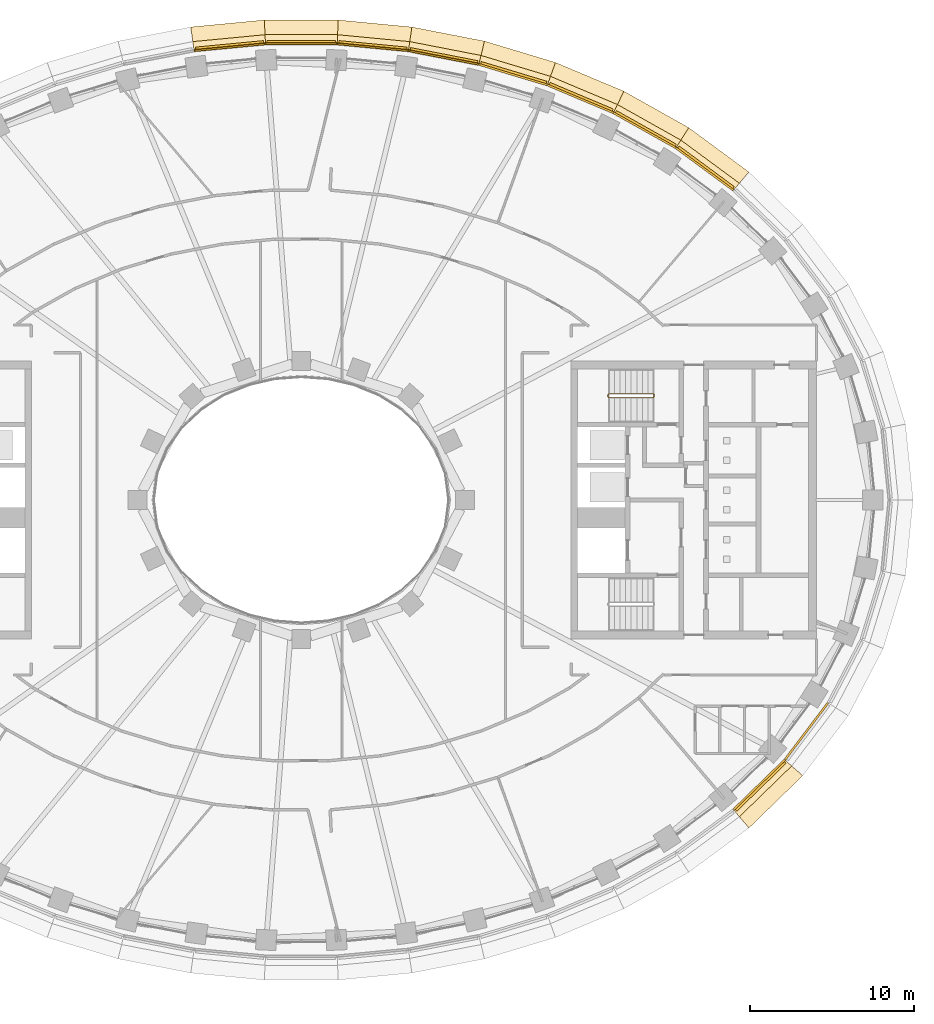
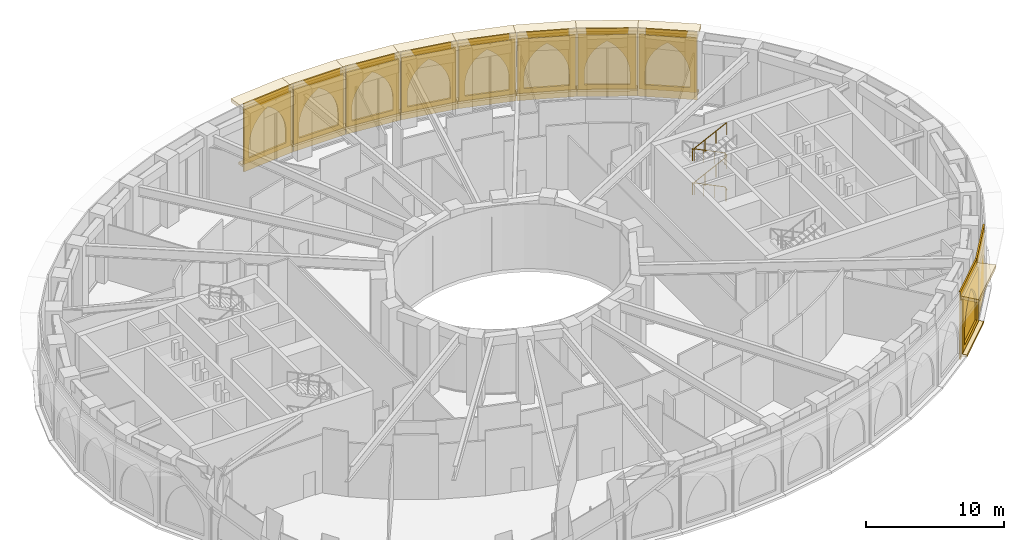
# One storey, part 21 of 23: 37 coverings, 1 railing.
"""IFC4 building model written with IfcOpenShell, lengths in metres."""

from ifc_helpers import new_model, si_unit, direction, frame, origin, origin_2d, place, context, subcontext, project, spatial, polyline, rectangle, outline, extrude, material, layer, layer_set, type_object, element, save


model = new_model("IFC4")

# Units and contexts
model_context = context("Model", 3, precision=1e-05, world=origin(), true_north=direction((0.0, 1.0)))
body_context = subcontext(model_context, "Body", "Model", "MODEL_VIEW")
ifc_project = project(units=[si_unit("LENGTHUNIT", "METRE"), si_unit("AREAUNIT", "SQUARE_METRE"), si_unit("VOLUMEUNIT", "CUBIC_METRE"), si_unit("PLANEANGLEUNIT", "RADIAN"), si_unit("MASSUNIT", "GRAM", prefix="KILO")], contexts=[model_context])

# Site, building, storey
site_placement = place(None, origin())
site = spatial("IfcSite", under=ifc_project, at=site_placement, CompositionType="ELEMENT")
building_placement = place(site_placement, origin())
building = spatial("IfcBuilding", under=site, at=building_placement, Name="Noorbagh Ring Tower", CompositionType="ELEMENT")
storey_placement = place(building_placement, frame((0.0, 0.0, 140.0)))
storey = spatial("IfcBuildingStorey", under=building, at=storey_placement, Name="L32", CompositionType="ELEMENT", Elevation=140.0)

# Railing
ifc_material_1 = material(Name="Stainless steel", Category="steel")
railing_type = type_object("IfcRailingType", Name="CORE-STAIR-GUARD", PredefinedType="GUARDRAIL", material=ifc_material_1)
railing_placement = place(storey_placement, frame((21.580078125, 6.449951171875, 0.0)))
element("IfcRailing", 1, at=railing_placement, inside=storey, type_object=railing_type, Name="L32 ST3 stair guard", PredefinedType="GUARDRAIL", context=body_context, shape_type="SweptSolid", body=[
    extrude(rectangle(XDim=0.048095703125, YDim=0.048095703125, at=origin_2d()), frame((0.0, 0.0, 1.076171875), z_axis=(0.0, -1.0, 0.0), x_axis=(1.0, 0.0, 0.0)), (0.0, 0.0, 1.0), 0.14990234375),
    extrude(rectangle(XDim=0.048095703125, YDim=0.048095703125, at=origin_2d()), frame((0.0, -0.14990234375, 1.076171875), z_axis=(-0.188775798145, 0.754182335027, 0.628945707965), x_axis=(-0.970072785993, -0.242814311512, 0.0)), (0.0, 0.0, 1.0), 0.26513671875),
    extrude(rectangle(XDim=0.048095703125, YDim=0.048095703125, at=origin_2d()), frame((-0.050048828125, 0.050048828125, 1.24267578125), z_axis=(-0.897929466783, 0.0, 0.4401393787), x_axis=(0.0, -1.0, 0.0)), (0.0, 0.0, 1.0), 3.029052734375),
    extrude(rectangle(XDim=0.048095703125, YDim=0.048095703125, at=origin_2d()), frame((-2.77001953125, 0.050048828125, 2.576171875), z_axis=(-0.707106781187, -0.707106781187, 0.0), x_axis=(0.707106781187, -0.707106781187, 0.0)), (0.0, 0.0, 1.0), 0.07080078125),
    extrude(rectangle(XDim=0.048095703125, YDim=0.048095703125, at=origin_2d()), frame((-2.820068359375, 0.0, 2.576171875), z_axis=(0.0, -1.0, 0.0), x_axis=(1.0, 0.0, 0.0)), (0.0, 0.0, 1.0), 0.14990234375),
    extrude(rectangle(XDim=0.048095703125, YDim=0.048095703125, at=origin_2d()), frame((-2.820068359375, -0.14990234375, 2.576171875), z_axis=(0.27628659633, -0.27628659633, 0.920506074601), x_axis=(0.707106781187, 0.707106781187, 0.0)), (0.0, 0.0, 1.0), 0.18115234375),
    extrude(rectangle(XDim=0.048095703125, YDim=0.048095703125, at=origin_2d()), frame((-2.77001953125, -0.199951171875, 2.74267578125), z_axis=(0.897929466783, 0.0, 0.4401393787), x_axis=(0.0, 1.0, 0.0)), (0.0, 0.0, 1.0), 3.029052734375),
    extrude(rectangle(XDim=0.048095703125, YDim=0.048095703125, at=origin_2d()), frame((-0.050048828125, -0.199951171875, 4.076171875), z_axis=(0.242814311512, 0.970072785993, 0.0), x_axis=(-0.970072785993, 0.242814311512, 0.0)), (0.0, 0.0, 1.0), 0.2060546875),
    extrude(rectangle(XDim=0.048095703125, YDim=0.048095703125, at=origin_2d()), frame((0.0, 0.0, 4.076171875), z_axis=(0.0, -1.0, 0.0), x_axis=(1.0, 0.0, 0.0)), (0.0, 0.0, 1.0), 0.14990234375),
    extrude(rectangle(XDim=0.048095703125, YDim=0.048095703125, at=origin_2d()), frame((0.0, -0.14990234375, 4.076171875), z_axis=(-0.188775798145, 0.754182335027, 0.628945707965), x_axis=(-0.970072785993, -0.242814311512, 0.0)), (0.0, 0.0, 1.0), 0.26513671875),
    extrude(rectangle(XDim=0.048095703125, YDim=0.048095703125, at=origin_2d()), frame((-0.050048828125, 0.050048828125, 4.24267578125), z_axis=(-0.897929466783, 0.0, 0.4401393787), x_axis=(0.0, -1.0, 0.0)), (0.0, 0.0, 1.0), 3.029052734375),
    extrude(rectangle(XDim=0.048095703125, YDim=0.048095703125, at=origin_2d()), frame((-2.77001953125, 0.050048828125, 5.576171875), z_axis=(-0.707106781187, -0.707106781187, 0.0), x_axis=(0.707106781187, -0.707106781187, 0.0)), (0.0, 0.0, 1.0), 0.07080078125),
    extrude(rectangle(XDim=0.048095703125, YDim=0.048095703125, at=origin_2d()), frame((-2.820068359375, 0.0, 5.576171875), z_axis=(0.0, -1.0, 0.0), x_axis=(1.0, 0.0, 0.0)), (0.0, 0.0, 1.0), 0.14990234375),
    extrude(rectangle(XDim=0.048095703125, YDim=0.048095703125, at=origin_2d()), frame((-2.820068359375, -0.14990234375, 5.576171875), z_axis=(0.27628659633, -0.27628659633, 0.920506074601), x_axis=(0.707106781187, 0.707106781187, 0.0)), (0.0, 0.0, 1.0), 0.18115234375),
    extrude(rectangle(XDim=0.048095703125, YDim=0.048095703125, at=origin_2d()), frame((-2.77001953125, -0.199951171875, 5.74267578125), z_axis=(0.897929466783, 0.0, 0.4401393787), x_axis=(0.0, 1.0, 0.0)), (0.0, 0.0, 1.0), 3.029052734375),
    extrude(rectangle(XDim=0.0419921875, YDim=0.0419921875, at=origin_2d()), origin(), (0.0, 0.0, 1.0), 1.052001953125),
    extrude(rectangle(XDim=0.0419921875, YDim=0.0419921875, at=origin_2d()), frame((-0.956787109375, 0.050048828125, 0.611083984375)), (0.0, 0.0, 1.0), 1.052001953125),
    extrude(rectangle(XDim=0.0419921875, YDim=0.0419921875, at=origin_2d()), frame((-1.86328125, 0.050048828125, 1.0556640625)), (0.0, 0.0, 1.0), 1.052001953125),
    extrude(rectangle(XDim=0.0419921875, YDim=0.0419921875, at=origin_2d()), frame((-2.77001953125, 0.050048828125, 1.5)), (0.0, 0.0, 1.0), 1.052001953125),
    extrude(rectangle(XDim=0.0419921875, YDim=0.0419921875, at=origin_2d()), frame((-2.77001953125, -0.199951171875, 1.666748046875)), (0.0, 0.0, 1.0), 1.052001953125),
    extrude(rectangle(XDim=0.0419921875, YDim=0.0419921875, at=origin_2d()), frame((-1.86328125, -0.199951171875, 2.111083984375)), (0.0, 0.0, 1.0), 1.052001953125),
    extrude(rectangle(XDim=0.0419921875, YDim=0.0419921875, at=origin_2d()), frame((-0.956787109375, -0.199951171875, 2.5556640625)), (0.0, 0.0, 1.0), 1.052001953125),
    extrude(rectangle(XDim=0.0419921875, YDim=0.0419921875, at=origin_2d()), frame((-0.050048828125, -0.199951171875, 3.0)), (0.0, 0.0, 1.0), 1.052001953125),
    extrude(rectangle(XDim=0.0419921875, YDim=0.0419921875, at=origin_2d()), frame((-0.050048828125, 0.050048828125, 3.166748046875)), (0.0, 0.0, 1.0), 1.052001953125),
    extrude(rectangle(XDim=0.0419921875, YDim=0.0419921875, at=origin_2d()), frame((-0.956787109375, 0.050048828125, 3.611083984375)), (0.0, 0.0, 1.0), 1.052001953125),
    extrude(rectangle(XDim=0.0419921875, YDim=0.0419921875, at=origin_2d()), frame((-1.86328125, 0.050048828125, 4.0556640625)), (0.0, 0.0, 1.0), 1.052001953125),
    extrude(rectangle(XDim=0.0419921875, YDim=0.0419921875, at=origin_2d()), frame((-2.77001953125, 0.050048828125, 4.5)), (0.0, 0.0, 1.0), 1.052001953125),
    extrude(rectangle(XDim=0.0419921875, YDim=0.0419921875, at=origin_2d()), frame((-2.77001953125, -0.199951171875, 4.666748046875)), (0.0, 0.0, 1.0), 1.052001953125),
    extrude(rectangle(XDim=0.0419921875, YDim=0.0419921875, at=origin_2d()), frame((-1.86328125, -0.199951171875, 5.111083984375)), (0.0, 0.0, 1.0), 1.052001953125),
    extrude(rectangle(XDim=0.0419921875, YDim=0.0419921875, at=origin_2d()), frame((-0.956787109375, -0.199951171875, 5.5556640625)), (0.0, 0.0, 1.0), 1.052001953125),
    extrude(rectangle(XDim=0.0419921875, YDim=0.0419921875, at=origin_2d()), frame((-0.050048828125, -0.199951171875, 6.0)), (0.0, 0.0, 1.0), 1.052001953125),
])

# Coverings
ifc_material_2 = material(Name="Aluminium 6063-T6 black anodised", Category="aluminium")
ifc_layer_1 = layer(ifc_material_2, 0.1201171875)
ifc_layer_set_1 = layer_set([ifc_layer_1], Name="Aluminium 6063-T6 black anodised")
covering_type_1 = type_object("IfcCoveringType", Name="ENV-LOUVRE-BAND", PredefinedType="CLADDING", material=ifc_layer_set_1)
covering_1_placement = place(storey_placement, frame((24.662109375, 20.2353515625, -0.300048828125), z_axis=(0.0, 0.0, 1.0), x_axis=(-0.805153045326, 0.593067090304, 0.0)))
element("IfcCovering", 2, at=covering_1_placement, inside=storey, type_object=covering_type_1, Name="Louvre screen chord 06", ObjectType="LOUVRE", PredefinedType="CLADDING", context=body_context, shape_type="SweptSolid", body=[
    extrude(rectangle(XDim=4.3486328125, YDim=0.1201171875, at=origin_2d()), origin(), (0.0, 0.0, 1.0), 6.0),
])
covering_2_placement = place(storey_placement, frame((20.990966796875, 22.604736328125, -0.300048828125), z_axis=(0.0, 0.0, 1.0), x_axis=(-0.872044586249, 0.48942643941, 0.0)))
element("IfcCovering", 3, at=covering_2_placement, inside=storey, type_object=covering_type_1, Name="Louvre screen chord 07", ObjectType="LOUVRE", PredefinedType="CLADDING", context=body_context, shape_type="SweptSolid", body=[
    extrude(rectangle(XDim=4.34912109375, YDim=0.1201171875, at=origin_2d()), origin(), (0.0, 0.0, 1.0), 6.0),
])
covering_3_placement = place(storey_placement, frame((17.0634765625, 24.52490234375, -0.300048828125), z_axis=(0.0, 0.0, 1.0), x_axis=(-0.921811566494, 0.387638279686, 0.0)))
element("IfcCovering", 4, at=covering_3_placement, inside=storey, type_object=covering_type_1, Name="Louvre screen chord 08", ObjectType="LOUVRE", PredefinedType="CLADDING", context=body_context, shape_type="SweptSolid", body=[
    extrude(rectangle(XDim=4.349365234375, YDim=0.1201171875, at=origin_2d()), origin(), (0.0, 0.0, 1.0), 6.0),
])
covering_4_placement = place(storey_placement, frame((12.947998046875, 26.0048828125, -0.300048828125), z_axis=(0.0, 0.0, 1.0), x_axis=(-0.957577925467, 0.28817445525, 0.0)))
element("IfcCovering", 5, at=covering_4_placement, inside=storey, type_object=covering_type_1, Name="Louvre screen chord 09", ObjectType="LOUVRE", PredefinedType="CLADDING", context=body_context, shape_type="SweptSolid", body=[
    extrude(rectangle(XDim=4.349609375, YDim=0.1201171875, at=origin_2d()), origin(), (0.0, 0.0, 1.0), 6.0),
])
for number, where, z_axis, x_axis, name in (
    (6, (8.700927734375, 27.053955078125, -0.300048828125), (0.0, 0.0, 1.0), (-0.981624952922, 0.190820470077, 0.0), "Louvre screen chord 10"),
    (7, (4.37060546875, 27.679931640625, -0.300048828125), (0.0, 0.0, 1.0), (-0.995476497323, 0.095008122171, 0.0), "Louvre screen chord 11"),
    (8, (0.0, 27.887939453125, -0.300048828125), (0.0, 0.0, 1.0), (-1.0, 0.0, 0.0), "Louvre screen chord 12"),
    (9, (-4.37060546875, 27.679931640625, -0.300048828125), (0.0, 0.0, 1.0), (-0.995476497323, -0.095008122171, 0.0), "Louvre screen chord 13"),
):
    element("IfcCovering", number, at=place(storey_placement, frame(where, z_axis=z_axis, x_axis=x_axis)), inside=storey, type_object=covering_type_1, Name=name, ObjectType="LOUVRE", PredefinedType="CLADDING", context=body_context, shape_type="SweptSolid", body=[
        extrude(rectangle(XDim=4.349853515625, YDim=0.1201171875, at=origin_2d()), origin(), (0.0, 0.0, 1.0), 6.0),
    ])
covering_5_placement = place(storey_placement, frame((27.993408203125, -17.41259765625, -0.300048828125), z_axis=(0.0, 0.0, 1.0), x_axis=(0.717224548362, 0.696842125038, 0.0)))
element("IfcCovering", 10, at=covering_5_placement, inside=storey, type_object=covering_type_1, Name="Louvre screen chord 42", ObjectType="LOUVRE", PredefinedType="CLADDING", context=body_context, shape_type="SweptSolid", body=[
    extrude(rectangle(XDim=4.347900390625, YDim=0.1201171875, at=origin_2d()), origin(), (0.0, 0.0, 1.0), 6.0),
])
covering_6_placement = place(storey_placement, frame((30.883544921875, -14.145263671875, -0.300048828125), z_axis=(0.0, 0.0, 1.0), x_axis=(0.604020184358, 0.796969018776, 0.0)))
element("IfcCovering", 11, at=covering_6_placement, inside=storey, type_object=covering_type_1, Name="Louvre screen chord 43", ObjectType="LOUVRE", PredefinedType="CLADDING", context=body_context, shape_type="SweptSolid", body=[
    extrude(rectangle(XDim=4.346923828125, YDim=0.1201171875, at=origin_2d()), origin(), (0.0, 0.0, 1.0), 6.0),
])
ifc_material_3 = material(Name="Red sandstone cladding", Category="masonry")
ifc_layer_2 = layer(ifc_material_3, 0.14990234375)
ifc_layer_set_2 = layer_set([ifc_layer_2], Name="Red sandstone cladding")
covering_type_2 = type_object("IfcCoveringType", Name="STYLE-BAND-ARCADE", PredefinedType="USERDEFINED", material=ifc_layer_set_2)
covering_7_placement = place(storey_placement, frame((26.471435546875, 19.163330078125, 0.25), z_axis=(0.593079629262, 0.805143809114, 0.0), x_axis=(-0.805143809114, 0.593079629262, 0.0)))
element("IfcCovering", 12, at=covering_7_placement, inside=storey, type_object=covering_type_2, Name="Blind arch bay of the band", ObjectType="ARCH", PredefinedType="USERDEFINED", context=body_context, shape_type="SweptSolid", body=[
    extrude(outline(polyline([(0.0, 0.0), (4.184814453125, 0.0), (4.184814453125, 4.800048828125), (0.0, 4.800048828125), (0.0, 0.0)]), holes=[polyline([(0.449951171875, 0.39990234375), (0.449951171875, 1.4052734375), (0.47802734375, 1.833984375), (0.56201171875, 2.25537109375), (0.7001953125, 2.662353515625), (0.89013671875, 3.047607421875), (1.12890625, 3.405029296875), (1.412109375, 3.72802734375), (1.735107421875, 4.011474609375), (2.092529296875, 4.25), (2.44970703125, 4.011474609375), (2.772705078125, 3.72802734375), (3.05615234375, 3.405029296875), (3.294921875, 3.047607421875), (3.48486328125, 2.662353515625), (3.623046875, 2.25537109375), (3.706787109375, 1.833984375), (3.73486328125, 1.4052734375), (3.73486328125, 0.39990234375), (0.449951171875, 0.39990234375)])]), origin(), (0.0, 0.0, -1.0), 0.14990234375),
])
covering_8_placement = place(storey_placement, frame((22.918701171875, 21.763671875, 0.25), z_axis=(0.489402470802, 0.872058037961, 0.0), x_axis=(-0.872058037961, 0.489402470802, 0.0)))
element("IfcCovering", 13, at=covering_8_placement, inside=storey, type_object=covering_type_2, Name="Blind arch bay of the band", ObjectType="ARCH", PredefinedType="USERDEFINED", context=body_context, shape_type="SweptSolid", body=[
    extrude(outline(polyline([(0.0, 0.0), (4.185302734375, 0.0), (4.185302734375, 4.800048828125), (0.0, 4.800048828125), (0.0, 0.0)]), holes=[polyline([(0.449951171875, 0.39990234375), (0.449951171875, 1.40478515625), (0.47802734375, 1.83349609375), (0.56201171875, 2.255126953125), (0.7001953125, 2.662109375), (0.89013671875, 3.047607421875), (1.12890625, 3.40478515625), (1.412353515625, 3.72802734375), (1.7353515625, 4.01123046875), (2.0927734375, 4.25), (2.4501953125, 4.01123046875), (2.773193359375, 3.72802734375), (3.056396484375, 3.40478515625), (3.29541015625, 3.047607421875), (3.4853515625, 2.662109375), (3.62353515625, 2.255126953125), (3.70751953125, 1.83349609375), (3.735595703125, 1.40478515625), (3.735595703125, 0.39990234375), (0.449951171875, 0.39990234375)])]), origin(), (0.0, 0.0, -1.0), 0.14990234375),
])
covering_9_placement = place(storey_placement, frame((19.07421875, 23.9072265625, 0.25), z_axis=(0.387624121421, 0.92181752017, 0.0), x_axis=(-0.92181752017, 0.387624121421, 0.0)))
element("IfcCovering", 14, at=covering_9_placement, inside=storey, type_object=covering_type_2, Name="Blind arch bay of the band", ObjectType="ARCH", PredefinedType="USERDEFINED", context=body_context, shape_type="SweptSolid", body=[
    extrude(outline(polyline([(0.0, 0.0), (4.185791015625, 0.0), (4.185791015625, 4.800048828125), (0.0, 4.800048828125), (0.0, 0.0)]), holes=[polyline([(0.449951171875, 0.39990234375), (0.449951171875, 1.404541015625), (0.47802734375, 1.83349609375), (0.56201171875, 2.2548828125), (0.7001953125, 2.661865234375), (0.89013671875, 3.04736328125), (1.12890625, 3.40478515625), (1.412353515625, 3.727783203125), (1.735595703125, 4.01123046875), (2.093017578125, 4.25), (2.4501953125, 4.01123046875), (2.7734375, 3.727783203125), (3.056884765625, 3.40478515625), (3.295654296875, 3.04736328125), (3.485595703125, 2.661865234375), (3.623779296875, 2.2548828125), (3.707763671875, 1.83349609375), (3.73583984375, 1.404541015625), (3.73583984375, 0.39990234375), (0.449951171875, 0.39990234375)])]), origin(), (0.0, 0.0, -1.0), 0.14990234375),
])
covering_10_placement = place(storey_placement, frame((15.0126953125, 25.602783203125, 0.25), z_axis=(0.288182515773, 0.957575499688, 0.0), x_axis=(-0.957575499688, 0.288182515773, 0.0)))
element("IfcCovering", 15, at=covering_10_placement, inside=storey, type_object=covering_type_2, Name="Blind arch bay of the band", ObjectType="ARCH", PredefinedType="USERDEFINED", context=body_context, shape_type="SweptSolid", body=[
    extrude(outline(polyline([(0.0, 0.0), (4.185791015625, 0.0), (4.185791015625, 4.800048828125), (0.0, 4.800048828125), (0.0, 0.0)]), holes=[polyline([(0.449951171875, 0.39990234375), (0.449951171875, 1.404296875), (0.47802734375, 1.833251953125), (0.56201171875, 2.2548828125), (0.7001953125, 2.661865234375), (0.890380859375, 3.04736328125), (1.129150390625, 3.40478515625), (1.41259765625, 3.727783203125), (1.735595703125, 4.01123046875), (2.093017578125, 4.25), (2.450439453125, 4.01123046875), (2.773681640625, 3.727783203125), (3.056884765625, 3.40478515625), (3.2958984375, 3.04736328125), (3.48583984375, 2.661865234375), (3.6240234375, 2.2548828125), (3.7080078125, 1.833251953125), (3.736083984375, 1.404296875), (3.736083984375, 0.39990234375), (0.449951171875, 0.39990234375)])]), origin(), (0.0, 0.0, -1.0), 0.14990234375),
])
covering_11_placement = place(storey_placement, frame((10.7958984375, 26.860595703125, 0.25), z_axis=(0.190819708322, 0.981625101001, 0.0), x_axis=(-0.981625101001, 0.190819708322, 0.0)))
element("IfcCovering", 16, at=covering_11_placement, inside=storey, type_object=covering_type_2, Name="Blind arch bay of the band", ObjectType="ARCH", PredefinedType="USERDEFINED", context=body_context, shape_type="SweptSolid", body=[
    extrude(outline(polyline([(0.0, 0.0), (4.186279296875, 0.0), (4.186279296875, 4.800048828125), (0.0, 4.800048828125), (0.0, 0.0)]), holes=[polyline([(0.449951171875, 0.39990234375), (0.449951171875, 1.404052734375), (0.47802734375, 1.8330078125), (0.56201171875, 2.254638671875), (0.7001953125, 2.66162109375), (0.890380859375, 3.047119140625), (1.129150390625, 3.40478515625), (1.41259765625, 3.727783203125), (1.735595703125, 4.01123046875), (2.093017578125, 4.25), (2.450439453125, 4.01123046875), (2.773681640625, 3.727783203125), (3.05712890625, 3.40478515625), (3.2958984375, 3.047119140625), (3.486083984375, 2.66162109375), (3.624267578125, 2.254638671875), (3.7080078125, 1.8330078125), (3.736083984375, 1.404052734375), (3.736083984375, 0.39990234375), (0.449951171875, 0.39990234375)])]), origin(), (0.0, 0.0, -1.0), 0.14990234375),
])
covering_12_placement = place(storey_placement, frame((6.474365234375, 27.690185546875, 0.25), z_axis=(0.094998982718, 0.995477369548, 0.0), x_axis=(-0.995477369548, 0.094998982718, 0.0)))
element("IfcCovering", 17, at=covering_12_placement, inside=storey, type_object=covering_type_2, Name="Blind arch bay of the band", ObjectType="ARCH", PredefinedType="USERDEFINED", context=body_context, shape_type="SweptSolid", body=[
    extrude(outline(polyline([(0.0, 0.0), (4.1865234375, 0.0), (4.1865234375, 4.800048828125), (0.0, 4.800048828125), (0.0, 0.0)]), holes=[polyline([(0.449951171875, 0.39990234375), (0.449951171875, 1.404052734375), (0.47802734375, 1.8330078125), (0.56201171875, 2.254638671875), (0.7001953125, 2.66162109375), (0.890380859375, 3.047119140625), (1.129150390625, 3.404541015625), (1.41259765625, 3.727783203125), (1.735595703125, 4.01123046875), (2.09326171875, 4.25), (2.45068359375, 4.01123046875), (2.773681640625, 3.727783203125), (3.05712890625, 3.404541015625), (3.2958984375, 3.047119140625), (3.486083984375, 2.66162109375), (3.624267578125, 2.254638671875), (3.708251953125, 1.8330078125), (3.736328125, 1.404052734375), (3.736328125, 0.39990234375), (0.449951171875, 0.39990234375)])]), origin(), (0.0, 0.0, -1.0), 0.14990234375),
])
covering_13_placement = place(storey_placement, frame((2.09326171875, 28.097900390625, 0.25), z_axis=(0.0, 1.0, 0.0), x_axis=(-1.0, 0.0, 0.0)))
element("IfcCovering", 18, at=covering_13_placement, inside=storey, type_object=covering_type_2, Name="Blind arch bay of the band", ObjectType="ARCH", PredefinedType="USERDEFINED", context=body_context, shape_type="SweptSolid", body=[
    extrude(outline(polyline([(0.0, 0.0), (4.1865234375, 0.0), (4.1865234375, 4.800048828125), (0.0, 4.800048828125), (0.0, 0.0)]), holes=[polyline([(0.449951171875, 0.39990234375), (0.449951171875, 1.404052734375), (0.47802734375, 1.8330078125), (0.56201171875, 2.254638671875), (0.7001953125, 2.66162109375), (0.890380859375, 3.047119140625), (1.129150390625, 3.404541015625), (1.41259765625, 3.727783203125), (1.735595703125, 4.01123046875), (2.09326171875, 4.25), (2.45068359375, 4.01123046875), (2.773681640625, 3.727783203125), (3.05712890625, 3.404541015625), (3.296142578125, 3.047119140625), (3.486083984375, 2.66162109375), (3.62451171875, 2.254638671875), (3.708251953125, 1.8330078125), (3.736328125, 1.404052734375), (3.736328125, 0.39990234375), (0.449951171875, 0.39990234375)])]), origin(), (0.0, 0.0, -1.0), 0.14990234375),
])
covering_14_placement = place(storey_placement, frame((-2.306884765625, 28.087890625, 0.25), z_axis=(-0.094998982718, 0.995477369548, 0.0), x_axis=(-0.995477369548, -0.094998982718, 0.0)))
element("IfcCovering", 19, at=covering_14_placement, inside=storey, type_object=covering_type_2, Name="Blind arch bay of the band", ObjectType="ARCH", PredefinedType="USERDEFINED", context=body_context, shape_type="SweptSolid", body=[
    extrude(outline(polyline([(0.0, 0.0), (4.1865234375, 0.0), (4.1865234375, 4.800048828125), (0.0, 4.800048828125), (0.0, 0.0)]), holes=[polyline([(0.449951171875, 0.39990234375), (0.449951171875, 1.404052734375), (0.47802734375, 1.8330078125), (0.56201171875, 2.254638671875), (0.7001953125, 2.66162109375), (0.890380859375, 3.047119140625), (1.129150390625, 3.404541015625), (1.41259765625, 3.727783203125), (1.735595703125, 4.01123046875), (2.09326171875, 4.25), (2.45068359375, 4.01123046875), (2.773681640625, 3.727783203125), (3.05712890625, 3.404541015625), (3.2958984375, 3.047119140625), (3.486083984375, 2.66162109375), (3.624267578125, 2.254638671875), (3.708251953125, 1.8330078125), (3.736328125, 1.404052734375), (3.736328125, 0.39990234375), (0.449951171875, 0.39990234375)])]), origin(), (0.0, 0.0, -1.0), 0.14990234375),
])
covering_15_placement = place(storey_placement, frame((26.639404296875, -19.021240234375, 0.25), z_axis=(0.696851724238, -0.717215221831, 0.0), x_axis=(0.717215221831, 0.696851724238, 0.0)))
element("IfcCovering", 20, at=covering_15_placement, inside=storey, type_object=covering_type_2, Name="Blind arch bay of the band", ObjectType="ARCH", PredefinedType="USERDEFINED", context=body_context, shape_type="SweptSolid", body=[
    extrude(outline(polyline([(0.0, 0.0), (4.184326171875, 0.0), (4.184326171875, 4.800048828125), (0.0, 4.800048828125), (0.0, 0.0)]), holes=[polyline([(0.449951171875, 0.39990234375), (0.449951171875, 1.40576171875), (0.47802734375, 1.83447265625), (0.56201171875, 2.255859375), (0.699951171875, 2.66259765625), (0.889892578125, 3.048095703125), (1.128662109375, 3.4052734375), (1.411865234375, 3.728271484375), (1.73486328125, 4.011474609375), (2.092041015625, 4.25), (2.44921875, 4.011474609375), (2.772216796875, 3.728271484375), (3.0556640625, 3.4052734375), (3.294189453125, 3.048095703125), (3.484130859375, 2.66259765625), (3.622314453125, 2.255859375), (3.706298828125, 1.83447265625), (3.734130859375, 1.40576171875), (3.734130859375, 0.39990234375), (0.449951171875, 0.39990234375)])]), origin(), (0.0, 0.0, -1.0), 0.14990234375),
])
ifc_material_4 = material(Name="Red sandstone eave", Category="masonry")
covering_type_3 = type_object("IfcCoveringType", Name="STYLE-BAND-EAVE", PredefinedType="USERDEFINED", material=ifc_material_4)
covering_16_placement = place(storey_placement, frame((0.0, 0.0, 5.050048828125)))
element("IfcCovering", 21, at=covering_16_placement, inside=storey, type_object=covering_type_3, Name="Chhajja eave", ObjectType="CHHAJJA", PredefinedType="USERDEFINED", context=body_context, shape_type="SweptSolid", body=[
    extrude(outline(polyline([(26.463134765625, 18.9833984375), (22.9326171875, 21.583740234375), (23.693115234375, 22.762451171875), (27.3701171875, 20.053955078125), (26.463134765625, 18.9833984375)])), origin(), (0.0, 0.0, 1.0), 0.300048828125),
])
covering_17_placement = place(storey_placement, frame((0.0, 0.0, 5.050048828125)))
element("IfcCovering", 22, at=covering_17_placement, inside=storey, type_object=covering_type_3, Name="Chhajja eave", ObjectType="CHHAJJA", PredefinedType="USERDEFINED", context=body_context, shape_type="SweptSolid", body=[
    extrude(outline(polyline([(22.9326171875, 21.583740234375), (19.108154296875, 23.730224609375), (19.72412109375, 24.989990234375), (23.693115234375, 22.762451171875), (22.9326171875, 21.583740234375)])), origin(), (0.0, 0.0, 1.0), 0.300048828125),
])
covering_18_placement = place(storey_placement, frame((0.0, 0.0, 5.050048828125)))
element("IfcCovering", 23, at=covering_18_placement, inside=storey, type_object=covering_type_3, Name="Chhajja eave", ObjectType="CHHAJJA", PredefinedType="USERDEFINED", context=body_context, shape_type="SweptSolid", body=[
    extrude(outline(polyline([(19.108154296875, 23.730224609375), (15.065185546875, 25.430419921875), (15.539794921875, 26.74951171875), (19.72412109375, 24.989990234375), (19.108154296875, 23.730224609375)])), origin(), (0.0, 0.0, 1.0), 0.300048828125),
])
covering_19_placement = place(storey_placement, frame((0.0, 0.0, 5.050048828125)))
element("IfcCovering", 24, at=covering_19_placement, inside=storey, type_object=covering_type_3, Name="Chhajja eave", ObjectType="CHHAJJA", PredefinedType="USERDEFINED", context=body_context, shape_type="SweptSolid", body=[
    extrude(outline(polyline([(15.065185546875, 25.430419921875), (10.865234375, 26.6943359375), (11.201416015625, 28.05517578125), (15.539794921875, 26.74951171875), (15.065185546875, 25.430419921875)])), origin(), (0.0, 0.0, 1.0), 0.300048828125),
])
covering_20_placement = place(storey_placement, frame((0.0, 0.0, 5.050048828125)))
element("IfcCovering", 25, at=covering_20_placement, inside=storey, type_object=covering_type_3, Name="Chhajja eave", ObjectType="CHHAJJA", PredefinedType="USERDEFINED", context=body_context, shape_type="SweptSolid", body=[
    extrude(outline(polyline([(10.865234375, 26.6943359375), (6.559814453125, 27.53125), (6.76025390625, 28.91845703125), (11.201416015625, 28.05517578125), (10.865234375, 26.6943359375)])), origin(), (0.0, 0.0, 1.0), 0.300048828125),
])
covering_21_placement = place(storey_placement, frame((0.0, 0.0, 5.050048828125)))
element("IfcCovering", 26, at=covering_21_placement, inside=storey, type_object=covering_type_3, Name="Chhajja eave", ObjectType="CHHAJJA", PredefinedType="USERDEFINED", context=body_context, shape_type="SweptSolid", body=[
    extrude(outline(polyline([(6.559814453125, 27.53125), (2.193115234375, 27.947998046875), (2.259765625, 29.347900390625), (6.76025390625, 28.91845703125), (6.559814453125, 27.53125)])), origin(), (0.0, 0.0, 1.0), 0.300048828125),
])
covering_22_placement = place(storey_placement, frame((0.0, 0.0, 5.050048828125)))
element("IfcCovering", 27, at=covering_22_placement, inside=storey, type_object=covering_type_3, Name="Chhajja eave", ObjectType="CHHAJJA", PredefinedType="USERDEFINED", context=body_context, shape_type="SweptSolid", body=[
    extrude(outline(polyline([(2.193115234375, 27.947998046875), (-2.193115234375, 27.947998046875), (-2.259765625, 29.347900390625), (2.259765625, 29.347900390625), (2.193115234375, 27.947998046875)])), origin(), (0.0, 0.0, 1.0), 0.300048828125),
])
covering_23_placement = place(storey_placement, frame((0.0, 0.0, 5.050048828125)))
element("IfcCovering", 28, at=covering_23_placement, inside=storey, type_object=covering_type_3, Name="Chhajja eave", ObjectType="CHHAJJA", PredefinedType="USERDEFINED", context=body_context, shape_type="SweptSolid", body=[
    extrude(outline(polyline([(-2.193115234375, 27.947998046875), (-6.559814453125, 27.53125), (-6.76025390625, 28.91845703125), (-2.259765625, 29.347900390625), (-2.193115234375, 27.947998046875)])), origin(), (0.0, 0.0, 1.0), 0.300048828125),
])
covering_24_placement = place(storey_placement, frame((0.0, 0.0, 5.050048828125)))
element("IfcCovering", 29, at=covering_24_placement, inside=storey, type_object=covering_type_3, Name="Chhajja eave", ObjectType="CHHAJJA", PredefinedType="USERDEFINED", context=body_context, shape_type="SweptSolid", body=[
    extrude(outline(polyline([(26.463134765625, -18.9833984375), (29.607666015625, -15.927978515625), (30.6591796875, -16.8583984375), (27.3701171875, -20.053955078125), (26.463134765625, -18.9833984375)])), origin(), (0.0, 0.0, 1.0), 0.300048828125),
])
ifc_material_5 = material(Name="Red sandstone eave", Category="masonry")
covering_type_4 = type_object("IfcCoveringType", Name="STYLE-BAND-SILL", PredefinedType="USERDEFINED", material=ifc_material_5)
covering_25_placement = place(storey_placement, frame((0.0, 0.0, 0.050048828125)))
element("IfcCovering", 30, at=covering_25_placement, inside=storey, type_object=covering_type_4, Name="Sill ledge", ObjectType="CHHAJJA", PredefinedType="USERDEFINED", context=body_context, shape_type="SweptSolid", body=[
    extrude(outline(polyline([(26.463134765625, 18.9833984375), (22.9326171875, 21.583740234375), (23.2041015625, 22.004638671875), (26.787109375, 19.365478515625), (26.463134765625, 18.9833984375)])), origin(), (0.0, 0.0, 1.0), 0.199951171875),
])
covering_26_placement = place(storey_placement, frame((0.0, 0.0, 0.050048828125)))
element("IfcCovering", 31, at=covering_26_placement, inside=storey, type_object=covering_type_4, Name="Sill ledge", ObjectType="CHHAJJA", PredefinedType="USERDEFINED", context=body_context, shape_type="SweptSolid", body=[
    extrude(outline(polyline([(22.9326171875, 21.583740234375), (19.108154296875, 23.730224609375), (19.328125, 24.18017578125), (23.2041015625, 22.004638671875), (22.9326171875, 21.583740234375)])), origin(), (0.0, 0.0, 1.0), 0.199951171875),
])
covering_27_placement = place(storey_placement, frame((0.0, 0.0, 0.050048828125)))
element("IfcCovering", 32, at=covering_27_placement, inside=storey, type_object=covering_type_4, Name="Sill ledge", ObjectType="CHHAJJA", PredefinedType="USERDEFINED", context=body_context, shape_type="SweptSolid", body=[
    extrude(outline(polyline([(19.108154296875, 23.730224609375), (15.065185546875, 25.430419921875), (15.234619140625, 25.901611328125), (19.328125, 24.18017578125), (19.108154296875, 23.730224609375)])), origin(), (0.0, 0.0, 1.0), 0.199951171875),
])
covering_28_placement = place(storey_placement, frame((0.0, 0.0, 0.050048828125)))
element("IfcCovering", 33, at=covering_28_placement, inside=storey, type_object=covering_type_4, Name="Sill ledge", ObjectType="CHHAJJA", PredefinedType="USERDEFINED", context=body_context, shape_type="SweptSolid", body=[
    extrude(outline(polyline([(15.065185546875, 25.430419921875), (10.865234375, 26.6943359375), (10.9853515625, 27.180419921875), (15.234619140625, 25.901611328125), (15.065185546875, 25.430419921875)])), origin(), (0.0, 0.0, 1.0), 0.199951171875),
])
covering_29_placement = place(storey_placement, frame((0.0, 0.0, 0.050048828125)))
element("IfcCovering", 34, at=covering_29_placement, inside=storey, type_object=covering_type_4, Name="Sill ledge", ObjectType="CHHAJJA", PredefinedType="USERDEFINED", context=body_context, shape_type="SweptSolid", body=[
    extrude(outline(polyline([(10.865234375, 26.6943359375), (6.559814453125, 27.53125), (6.63134765625, 28.026611328125), (10.9853515625, 27.180419921875), (10.865234375, 26.6943359375)])), origin(), (0.0, 0.0, 1.0), 0.199951171875),
])
covering_30_placement = place(storey_placement, frame((0.0, 0.0, 0.050048828125)))
element("IfcCovering", 35, at=covering_30_placement, inside=storey, type_object=covering_type_4, Name="Sill ledge", ObjectType="CHHAJJA", PredefinedType="USERDEFINED", context=body_context, shape_type="SweptSolid", body=[
    extrude(outline(polyline([(6.559814453125, 27.53125), (2.193115234375, 27.947998046875), (2.217041015625, 28.447998046875), (6.63134765625, 28.026611328125), (6.559814453125, 27.53125)])), origin(), (0.0, 0.0, 1.0), 0.199951171875),
])
covering_31_placement = place(storey_placement, frame((0.0, 0.0, 0.050048828125)))
element("IfcCovering", 36, at=covering_31_placement, inside=storey, type_object=covering_type_4, Name="Sill ledge", ObjectType="CHHAJJA", PredefinedType="USERDEFINED", context=body_context, shape_type="SweptSolid", body=[
    extrude(outline(polyline([(2.193115234375, 27.947998046875), (-2.193115234375, 27.947998046875), (-2.217041015625, 28.447998046875), (2.217041015625, 28.447998046875), (2.193115234375, 27.947998046875)])), origin(), (0.0, 0.0, 1.0), 0.199951171875),
])
covering_32_placement = place(storey_placement, frame((0.0, 0.0, 0.050048828125)))
element("IfcCovering", 37, at=covering_32_placement, inside=storey, type_object=covering_type_4, Name="Sill ledge", ObjectType="CHHAJJA", PredefinedType="USERDEFINED", context=body_context, shape_type="SweptSolid", body=[
    extrude(outline(polyline([(-2.193115234375, 27.947998046875), (-6.559814453125, 27.53125), (-6.63134765625, 28.026611328125), (-2.217041015625, 28.447998046875), (-2.193115234375, 27.947998046875)])), origin(), (0.0, 0.0, 1.0), 0.199951171875),
])
covering_33_placement = place(storey_placement, frame((0.0, 0.0, 0.050048828125)))
element("IfcCovering", 38, at=covering_33_placement, inside=storey, type_object=covering_type_4, Name="Sill ledge", ObjectType="CHHAJJA", PredefinedType="USERDEFINED", context=body_context, shape_type="SweptSolid", body=[
    extrude(outline(polyline([(26.463134765625, -18.9833984375), (29.607666015625, -15.927978515625), (29.983154296875, -16.260498046875), (26.787109375, -19.365478515625), (26.463134765625, -18.9833984375)])), origin(), (0.0, 0.0, 1.0), 0.199951171875),
])

save(model, "model.ifc")
